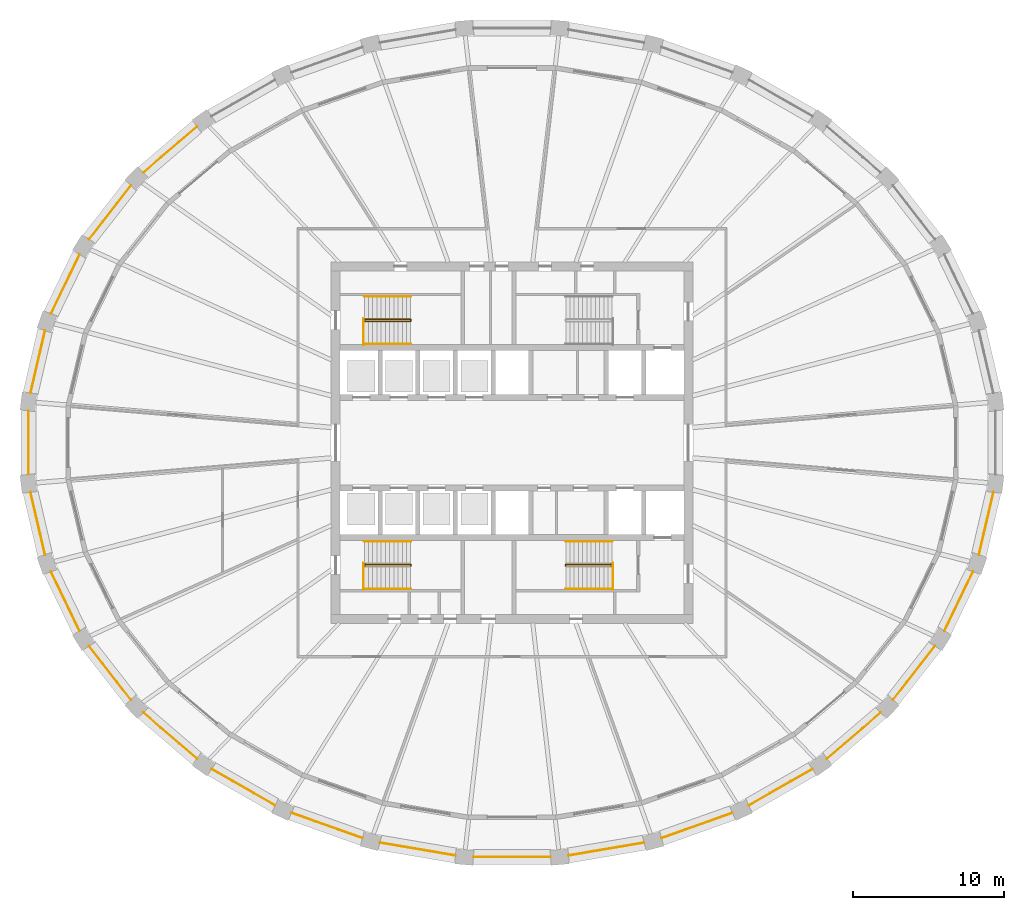
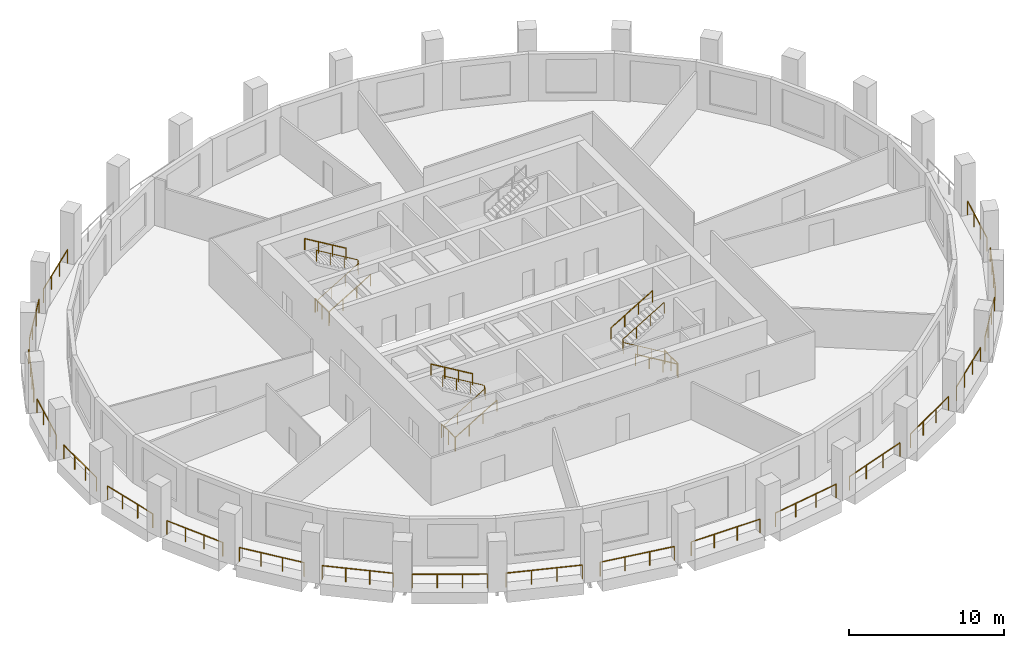
# One storey, part 8 of 10: 32 railings.
"""IFC4 building model written with IfcOpenShell, lengths in metres."""

import ifcopenshell
import ifcopenshell.guid

model = None  # the IFC model being written
_history = None  # IfcOwnerHistory: only IFC2X3 demands one
_inside = {}  # id of a spatial element -> (the spatial element, [elements in it])
_under = {}  # id of a project, library or spatial element -> (it, [spatial elements below it])
_declared = {}  # id of a project -> (the project, [libraries it declares])
_typed = {}  # id of a type object -> (the type object, [elements of that type])
_made_of = {}  # id of a material, layer set ... -> (it, [elements and type objects made of it])


def new_model(schema):
    """Start an empty IFC model of exactly this schema.

    Asked for "IFC4X3", IfcOpenShell would pick the latest addendum, in which some entities
    have other attributes; the version numbers below select the first issue.
    IFC2X3 requires an IfcOwnerHistory on every rooted entity: one is made here for all.
    """
    global model, _history
    if schema == "IFC4X3":
        model = ifcopenshell.file(schema_version=(4, 3, 0, 0))
    else:
        model = ifcopenshell.file(schema=schema)
    _inside.clear()
    _under.clear()
    _declared.clear()
    _typed.clear()
    _made_of.clear()
    _history = None
    if model.schema == "IFC2X3":
        org = make("IfcOrganization", Name="unknown")
        user = make(
            "IfcPersonAndOrganization",
            ThePerson=make("IfcPerson", FamilyName="unknown"),
            TheOrganization=org,
        )
        app = make(
            "IfcApplication",
            ApplicationDeveloper=org,
            Version="unknown",
            ApplicationFullName="unknown",
            ApplicationIdentifier="unknown",
        )
        _history = make(
            "IfcOwnerHistory",
            OwningUser=user,
            OwningApplication=app,
            ChangeAction="ADDED",
            CreationDate=0,
        )
    return model


def make(cls, **values):
    """One entity of the class cls with the attributes given. An attribute that is None is left unset."""
    return model.create_entity(
        cls, **{name: value for name, value in values.items() if value is not None}
    )


def rooted(cls, **values):
    """An entity with a GlobalId (a new one), such as an element, a storey or a relation."""
    return make(cls, GlobalId=ifcopenshell.guid.new(), OwnerHistory=_history, **values)


def si_unit(unit_type, name, prefix=None):
    """IfcSIUnit, for example si_unit("LENGTHUNIT", "METRE", prefix="MILLI")."""
    return make("IfcSIUnit", UnitType=unit_type, Prefix=prefix, Name=name)


def assignment(units):
    """IfcUnitAssignment: the units of a project."""
    return None if units is None else make("IfcUnitAssignment", Units=units)


def point(xyz):
    """IfcCartesianPoint."""
    return None if xyz is None else make("IfcCartesianPoint", Coordinates=xyz)


def direction(xyz):
    """IfcDirection."""
    return None if xyz is None else make("IfcDirection", DirectionRatios=xyz)


def frame(location, z_axis=None, x_axis=None):
    """IfcAxis2Placement3D, a coordinate frame: its origin and axes. An axis left out is left unset."""
    return make(
        "IfcAxis2Placement3D",
        Location=point(location),
        Axis=direction(z_axis),
        RefDirection=direction(x_axis),
    )


def frame_2d(location, x_axis=None):
    """IfcAxis2Placement2D, a coordinate frame in the plane: its origin and x axis."""
    return make(
        "IfcAxis2Placement2D", Location=point(location), RefDirection=direction(x_axis)
    )


def origin():
    """The frame at (0, 0, 0) with its axes left unset."""
    return frame((0.0, 0.0, 0.0))


def origin_2d():
    """The frame at (0, 0) in the plane with its x axis left unset."""
    return frame_2d((0.0, 0.0))


def place(relative_to, where):
    """IfcLocalPlacement: puts the frame where relative to a parent placement (None: the world)."""
    return make(
        "IfcLocalPlacement", PlacementRelTo=relative_to, RelativePlacement=where
    )


def context(
    kind, dimensions, precision=None, world=None, true_north=None, identifier=None
):
    """IfcGeometricRepresentationContext, for example the 3D "Model" context."""
    return make(
        "IfcGeometricRepresentationContext",
        ContextIdentifier=identifier,
        ContextType=kind,
        CoordinateSpaceDimension=dimensions,
        Precision=precision,
        WorldCoordinateSystem=world,
        TrueNorth=true_north,
    )


def subcontext(parent, identifier, kind, view, scale=None):
    """IfcGeometricRepresentationSubContext, for example "Body" below "Model"."""
    return make(
        "IfcGeometricRepresentationSubContext",
        ContextIdentifier=identifier,
        ContextType=kind,
        ParentContext=parent,
        TargetScale=scale,
        TargetView=view,
    )


def project(units=None, contexts=None):
    """IfcProject with its units and contexts."""
    return rooted(
        "IfcProject",
        Name="project",
        RepresentationContexts=contexts,
        UnitsInContext=assignment(units),
    )


def spatial(cls, under=None, at=None, **own):
    """A site, building, storey or space (cls), placed at a placement, below another one or the project."""
    s = rooted(cls, ObjectPlacement=at, **own)
    if under is not None:
        _under.setdefault(under.id(), (under, []))[1].append(s)
    return s


def profile(cls, at=None, kind="AREA", **sizes):
    """A parametric profile (cls). Its sizes go by their IFC names, for example OverallWidth=200.0."""
    return make(cls, ProfileType=kind, Position=at, **sizes)


def circle(**sizes):
    """IfcCircleProfileDef."""
    return profile("IfcCircleProfileDef", **sizes)


def extrude(swept, where, along, depth):
    """IfcExtrudedAreaSolid: the profile swept, set in the frame where, extruded along a direction by depth."""
    return make(
        "IfcExtrudedAreaSolid",
        SweptArea=swept,
        Position=where,
        ExtrudedDirection=direction(along),
        Depth=depth,
    )


def shape(context_of_items, identifier, shape_type, items):
    """IfcShapeRepresentation: the items that make up one representation, for example the "Body"."""
    return make(
        "IfcShapeRepresentation",
        ContextOfItems=context_of_items,
        RepresentationIdentifier=identifier,
        RepresentationType=shape_type,
        Items=items,
    )


def material(Name=None, Category=None):
    """IfcMaterial."""
    return make("IfcMaterial", Name=Name, Category=Category)


def made_of(thing, what):
    """Note that an element or type object is made of a material, layer set ...; save() writes the relation."""
    if what is not None:
        _made_of.setdefault(what.id(), (what, []))[1].append(thing)
    return thing


def type_object(cls, material=None, **own):
    """A type object (cls), such as IfcWallType, which elements share."""
    return made_of(rooted(cls, **own), material)


def element(
    cls,
    number,
    at=None,
    inside=None,
    cuts=None,
    type_object=None,
    material=None,
    context=None,
    identifier="Body",
    shape_type=None,
    held_by="IfcProductDefinitionShape",
    body=None,
    shapes=None,
    **own,
):
    """One element of the class cls, such as IfcWall. Its Tag is "e" and its number.

    at: its placement. inside: the storey or other place that contains it. cuts: it is an
    opening in that element (IfcRelVoidsElement). A single representation is given by context,
    identifier, shape_type and body (its items); several are given by shapes. held_by: the class
    of the entity that holds the representations. save() writes the other relations.
    """
    e = rooted(cls, Tag="e%d" % number, ObjectPlacement=at, **own)
    if body is not None:
        shapes = [shape(context, identifier, shape_type, body)]
    if shapes is not None:
        e.Representation = make(held_by, Representations=shapes)
    if inside is not None:
        _inside.setdefault(inside.id(), (inside, []))[1].append(e)
    if cuts is not None:
        rooted(
            "IfcRelVoidsElement", RelatingBuildingElement=cuts, RelatedOpeningElement=e
        )
    if type_object is not None:
        _typed.setdefault(type_object.id(), (type_object, []))[1].append(e)
    return made_of(e, material)


def aggregate(whole, parts):
    """IfcRelAggregates: a whole, such as a stair, and the parts it consists of."""
    return rooted("IfcRelAggregates", RelatingObject=whole, RelatedObjects=parts)


def save(model, path):
    """Write the relations noted so far, then the file.

    IfcRelAggregates (storeys below a building ...), IfcRelContainedInSpatialStructure (elements
    in a storey), IfcRelDefinesByType, IfcRelAssociatesMaterial and IfcRelDeclares: one each for
    every whole, place, type object, material and project.
    """
    for whole, parts in _under.values():
        aggregate(whole, parts)
    for where, things in _inside.values():
        rooted(
            "IfcRelContainedInSpatialStructure",
            RelatedElements=things,
            RelatingStructure=where,
        )
    for kind, things in _typed.values():
        rooted("IfcRelDefinesByType", RelatedObjects=things, RelatingType=kind)
    for what, things in _made_of.values():
        rooted("IfcRelAssociatesMaterial", RelatedObjects=things, RelatingMaterial=what)
    for by, libraries in _declared.values():
        rooted("IfcRelDeclares", RelatingContext=by, RelatedDefinitions=libraries)
    model.write(path)


model = new_model("IFC4")

# Units and contexts
model_context = context("Model", 3, precision=1e-05, world=origin(), true_north=direction((0.0, 1.0)))
body_context = subcontext(model_context, "Body", "Model", "MODEL_VIEW")
ifc_project = project(units=[si_unit("LENGTHUNIT", "METRE"), si_unit("AREAUNIT", "SQUARE_METRE"), si_unit("VOLUMEUNIT", "CUBIC_METRE"), si_unit("PLANEANGLEUNIT", "RADIAN"), si_unit("MASSUNIT", "GRAM", prefix="KILO")], contexts=[model_context])

# Site, building, storey
site_placement = place(None, origin())
site = spatial("IfcSite", under=ifc_project, at=site_placement, CompositionType="ELEMENT")
building_placement = place(site_placement, origin())
building = spatial("IfcBuilding", under=site, at=building_placement, Name="Halqa Exchange Tower", CompositionType="ELEMENT")
storey_placement = place(building_placement, frame((0.0, 0.0, 206.89990234375)))
storey = spatial("IfcBuildingStorey", under=building, at=storey_placement, Name="L47", CompositionType="ELEMENT", Elevation=206.89990234375)

# Railings
ifc_material = material(Name="Stainless steel", Category="steel")
railing_type_1 = type_object("IfcRailingType", Name="Guard 1100 stainless steel", PredefinedType="GUARDRAIL", material=ifc_material)
railing_1_placement = place(storey_placement, frame((-20.906494140625, 20.968994140625, 0.0)))
element("IfcRailing", 1, at=railing_1_placement, inside=storey, type_object=railing_type_1, Name="Loggia guard 12", PredefinedType="GUARDRAIL", context=body_context, shape_type="SweptSolid", body=[
    extrude(circle(Radius=0.02392578125, at=origin_2d()), frame((0.0, 0.0, 1.076171875), z_axis=(-0.759241889785, -0.65080853774, 0.0), x_axis=(0.65080853774, -0.759241889785, 0.0)), (0.0, 0.0, 1.0), 4.685546875),
    extrude(circle(Radius=0.02099609375, at=origin_2d()), origin(), (0.0, 0.0, 1.0), 1.052001953125),
    extrude(circle(Radius=0.02099609375, at=origin_2d()), frame((-1.185791015625, -1.016357421875, 0.0)), (0.0, 0.0, 1.0), 1.052001953125),
    extrude(circle(Radius=0.02099609375, at=origin_2d()), frame((-2.37158203125, -2.032958984375, 0.0)), (0.0, 0.0, 1.0), 1.052001953125),
    extrude(circle(Radius=0.02099609375, at=origin_2d()), frame((-3.557373046875, -3.04931640625, 0.0)), (0.0, 0.0, 1.0), 1.052001953125),
])
railing_2_placement = place(storey_placement, frame((-25.288330078125, 17.055908203125, 0.0)))
element("IfcRailing", 2, at=railing_2_placement, inside=storey, type_object=railing_type_1, Name="Loggia guard 13", PredefinedType="GUARDRAIL", context=body_context, shape_type="SweptSolid", body=[
    extrude(circle(Radius=0.02392578125, at=origin_2d()), frame((0.0, 0.0, 1.076171875), z_axis=(-0.614783407659, -0.788695988114, 0.0), x_axis=(0.788695988114, -0.614783407659, 0.0)), (0.0, 0.0, 1.0), 4.510498046875),
    extrude(circle(Radius=0.02099609375, at=origin_2d()), origin(), (0.0, 0.0, 1.0), 1.052001953125),
    extrude(circle(Radius=0.02099609375, at=origin_2d()), frame((-0.92431640625, -1.185791015625, 0.0)), (0.0, 0.0, 1.0), 1.052001953125),
    extrude(circle(Radius=0.02099609375, at=origin_2d()), frame((-1.8486328125, -2.37158203125, 0.0)), (0.0, 0.0, 1.0), 1.052001953125),
    extrude(circle(Radius=0.02099609375, at=origin_2d()), frame((-2.77294921875, -3.557373046875, 0.0)), (0.0, 0.0, 1.0), 1.052001953125),
])
railing_3_placement = place(storey_placement, frame((-28.69140625, 12.485107421875, 0.0)))
element("IfcRailing", 3, at=railing_3_placement, inside=storey, type_object=railing_type_1, Name="Loggia guard 14", PredefinedType="GUARDRAIL", context=body_context, shape_type="SweptSolid", body=[
    extrude(circle(Radius=0.02392578125, at=origin_2d()), frame((0.0, 0.0, 1.076171875), z_axis=(-0.435117192418, -0.900373827287, 0.0), x_axis=(0.900373827287, -0.435117192418, 0.0)), (0.0, 0.0, 1.0), 4.35791015625),
    extrude(circle(Radius=0.02099609375, at=origin_2d()), origin(), (0.0, 0.0, 1.0), 1.052001953125),
    extrude(circle(Radius=0.02099609375, at=origin_2d()), frame((-0.632080078125, -1.307861328125, 0.0)), (0.0, 0.0, 1.0), 1.052001953125),
    extrude(circle(Radius=0.02099609375, at=origin_2d()), frame((-1.26416015625, -2.615966796875, 0.0)), (0.0, 0.0, 1.0), 1.052001953125),
    extrude(circle(Radius=0.02099609375, at=origin_2d()), frame((-1.896240234375, -3.923828125, 0.0)), (0.0, 0.0, 1.0), 1.052001953125),
])
railing_4_placement = place(storey_placement, frame((-30.984375, 7.4365234375, 0.0)))
element("IfcRailing", 4, at=railing_4_placement, inside=storey, type_object=railing_type_1, Name="Loggia guard 15", PredefinedType="GUARDRAIL", context=body_context, shape_type="SweptSolid", body=[
    extrude(circle(Radius=0.02392578125, at=origin_2d()), frame((0.0, 0.0, 1.076171875), z_axis=(-0.226079136725, -0.974108938434, 0.0), x_axis=(0.974108938434, -0.226079136725, 0.0)), (0.0, 0.0, 1.0), 4.253662109375),
    extrude(circle(Radius=0.02099609375, at=origin_2d()), origin(), (0.0, 0.0, 1.0), 1.052001953125),
    extrude(circle(Radius=0.02099609375, at=origin_2d()), frame((-0.320556640625, -1.381103515625, 0.0)), (0.0, 0.0, 1.0), 1.052001953125),
    extrude(circle(Radius=0.02099609375, at=origin_2d()), frame((-0.64111328125, -2.762451171875, 0.0)), (0.0, 0.0, 1.0), 1.052001953125),
    extrude(circle(Radius=0.02099609375, at=origin_2d()), frame((-0.961669921875, -4.1435546875, 0.0)), (0.0, 0.0, 1.0), 1.052001953125),
])
railing_5_placement = place(storey_placement, frame((-32.08154296875, 2.1083984375, 0.0)))
element("IfcRailing", 5, at=railing_5_placement, inside=storey, type_object=railing_type_1, Name="Loggia guard 16", PredefinedType="GUARDRAIL", context=body_context, shape_type="SweptSolid", body=[
    extrude(circle(Radius=0.02392578125, at=origin_2d()), frame((0.0, 0.0, 1.076171875), z_axis=(0.0, -1.0, 0.0), x_axis=(1.0, 0.0, 0.0)), (0.0, 0.0, 1.0), 4.216796875),
    extrude(circle(Radius=0.02099609375, at=origin_2d()), origin(), (0.0, 0.0, 1.0), 1.052001953125),
    extrude(circle(Radius=0.02099609375, at=origin_2d()), frame((0.0, -1.405517578125, 0.0)), (0.0, 0.0, 1.0), 1.052001953125),
    extrude(circle(Radius=0.02099609375, at=origin_2d()), frame((0.0, -2.811279296875, 0.0)), (0.0, 0.0, 1.0), 1.052001953125),
    extrude(circle(Radius=0.02099609375, at=origin_2d()), frame((0.0, -4.216796875, 0.0)), (0.0, 0.0, 1.0), 1.052001953125),
])
railing_6_placement = place(storey_placement, frame((-31.946044921875, -3.29296875, 0.0)))
element("IfcRailing", 6, at=railing_6_placement, inside=storey, type_object=railing_type_1, Name="Loggia guard 17", PredefinedType="GUARDRAIL", context=body_context, shape_type="SweptSolid", body=[
    extrude(circle(Radius=0.02392578125, at=origin_2d()), frame((0.0, 0.0, 1.076171875), z_axis=(0.226079136725, -0.974108938434, 0.0), x_axis=(0.974108938434, 0.226079136725, 0.0)), (0.0, 0.0, 1.0), 4.253662109375),
    extrude(circle(Radius=0.02099609375, at=origin_2d()), origin(), (0.0, 0.0, 1.0), 1.052001953125),
    extrude(circle(Radius=0.02099609375, at=origin_2d()), frame((0.320556640625, -1.381103515625, 0.0)), (0.0, 0.0, 1.0), 1.052001953125),
    extrude(circle(Radius=0.02099609375, at=origin_2d()), frame((0.64111328125, -2.762451171875, 0.0)), (0.0, 0.0, 1.0), 1.052001953125),
    extrude(circle(Radius=0.02099609375, at=origin_2d()), frame((0.961669921875, -4.1435546875, 0.0)), (0.0, 0.0, 1.0), 1.052001953125),
])
railing_7_placement = place(storey_placement, frame((-30.587646484375, -8.561279296875, 0.0)))
element("IfcRailing", 7, at=railing_7_placement, inside=storey, type_object=railing_type_1, Name="Loggia guard 18", PredefinedType="GUARDRAIL", context=body_context, shape_type="SweptSolid", body=[
    extrude(circle(Radius=0.02392578125, at=origin_2d()), frame((0.0, 0.0, 1.076171875), z_axis=(0.435117192418, -0.900373827287, 0.0), x_axis=(0.900373827287, 0.435117192418, 0.0)), (0.0, 0.0, 1.0), 4.35791015625),
    extrude(circle(Radius=0.02099609375, at=origin_2d()), origin(), (0.0, 0.0, 1.0), 1.052001953125),
    extrude(circle(Radius=0.02099609375, at=origin_2d()), frame((0.632080078125, -1.307861328125, 0.0)), (0.0, 0.0, 1.0), 1.052001953125),
    extrude(circle(Radius=0.02099609375, at=origin_2d()), frame((1.26416015625, -2.615966796875, 0.0)), (0.0, 0.0, 1.0), 1.052001953125),
    extrude(circle(Radius=0.02099609375, at=origin_2d()), frame((1.896240234375, -3.923828125, 0.0)), (0.0, 0.0, 1.0), 1.052001953125),
])
railing_8_placement = place(storey_placement, frame((-28.061279296875, -13.49853515625, 0.0)))
element("IfcRailing", 8, at=railing_8_placement, inside=storey, type_object=railing_type_1, Name="Loggia guard 19", PredefinedType="GUARDRAIL", context=body_context, shape_type="SweptSolid", body=[
    extrude(circle(Radius=0.02392578125, at=origin_2d()), frame((0.0, 0.0, 1.076171875), z_axis=(0.614783407659, -0.788695988114, 0.0), x_axis=(0.788695988114, 0.614783407659, 0.0)), (0.0, 0.0, 1.0), 4.510498046875),
    extrude(circle(Radius=0.02099609375, at=origin_2d()), origin(), (0.0, 0.0, 1.0), 1.052001953125),
    extrude(circle(Radius=0.02099609375, at=origin_2d()), frame((0.92431640625, -1.185791015625, 0.0)), (0.0, 0.0, 1.0), 1.052001953125),
    extrude(circle(Radius=0.02099609375, at=origin_2d()), frame((1.8486328125, -2.37158203125, 0.0)), (0.0, 0.0, 1.0), 1.052001953125),
    extrude(circle(Radius=0.02099609375, at=origin_2d()), frame((2.77294921875, -3.557373046875, 0.0)), (0.0, 0.0, 1.0), 1.052001953125),
])
railing_9_placement = place(storey_placement, frame((-24.4638671875, -17.919677734375, 0.0)))
element("IfcRailing", 9, at=railing_9_placement, inside=storey, type_object=railing_type_1, Name="Loggia guard 20", PredefinedType="GUARDRAIL", context=body_context, shape_type="SweptSolid", body=[
    extrude(circle(Radius=0.02392578125, at=origin_2d()), frame((0.0, 0.0, 1.076171875), z_axis=(0.759241889785, -0.65080853774, 0.0), x_axis=(0.65080853774, 0.759241889785, 0.0)), (0.0, 0.0, 1.0), 4.685546875),
    extrude(circle(Radius=0.02099609375, at=origin_2d()), origin(), (0.0, 0.0, 1.0), 1.052001953125),
    extrude(circle(Radius=0.02099609375, at=origin_2d()), frame((1.185791015625, -1.016357421875, 0.0)), (0.0, 0.0, 1.0), 1.052001953125),
    extrude(circle(Radius=0.02099609375, at=origin_2d()), frame((2.37158203125, -2.032958984375, 0.0)), (0.0, 0.0, 1.0), 1.052001953125),
    extrude(circle(Radius=0.02099609375, at=origin_2d()), frame((3.557373046875, -3.04931640625, 0.0)), (0.0, 0.0, 1.0), 1.052001953125),
])
railing_10_placement = place(storey_placement, frame((-19.93017578125, -21.65771484375, 0.0)))
element("IfcRailing", 10, at=railing_10_placement, inside=storey, type_object=railing_type_1, Name="Loggia guard 21", PredefinedType="GUARDRAIL", context=body_context, shape_type="SweptSolid", body=[
    extrude(circle(Radius=0.02392578125, at=origin_2d()), frame((0.0, 0.0, 1.076171875), z_axis=(0.867769293608, -0.496967255533, 0.0), x_axis=(0.496967255533, 0.867769293608, 0.0)), (0.0, 0.0, 1.0), 4.855224609375),
    extrude(circle(Radius=0.02099609375, at=origin_2d()), origin(), (0.0, 0.0, 1.0), 1.052001953125),
    extrude(circle(Radius=0.02099609375, at=origin_2d()), frame((1.404296875, -0.80419921875, 0.0)), (0.0, 0.0, 1.0), 1.052001953125),
    extrude(circle(Radius=0.02099609375, at=origin_2d()), frame((2.808837890625, -1.608642578125, 0.0)), (0.0, 0.0, 1.0), 1.052001953125),
    extrude(circle(Radius=0.02099609375, at=origin_2d()), frame((4.213134765625, -2.412841796875, 0.0)), (0.0, 0.0, 1.0), 1.052001953125),
])
railing_11_placement = place(storey_placement, frame((-14.630859375, -24.569580078125, 0.0)))
element("IfcRailing", 11, at=railing_11_placement, inside=storey, type_object=railing_type_1, Name="Loggia guard 22", PredefinedType="GUARDRAIL", context=body_context, shape_type="SweptSolid", body=[
    extrude(circle(Radius=0.02392578125, at=origin_2d()), frame((0.0, 0.0, 1.076171875), z_axis=(0.942371589738, -0.334568060123, 0.0), x_axis=(0.334568060123, 0.942371589738, 0.0)), (0.0, 0.0, 1.0), 4.99560546875),
    extrude(circle(Radius=0.02099609375, at=origin_2d()), origin(), (0.0, 0.0, 1.0), 1.052001953125),
    extrude(circle(Radius=0.02099609375, at=origin_2d()), frame((1.5693359375, -0.55712890625, 0.0)), (0.0, 0.0, 1.0), 1.052001953125),
    extrude(circle(Radius=0.02099609375, at=origin_2d()), frame((3.138427734375, -1.1142578125, 0.0)), (0.0, 0.0, 1.0), 1.052001953125),
    extrude(circle(Radius=0.02099609375, at=origin_2d()), frame((4.707763671875, -1.67138671875, 0.0)), (0.0, 0.0, 1.0), 1.052001953125),
])
railing_12_placement = place(storey_placement, frame((-8.766357421875, -26.54248046875, 0.0)))
element("IfcRailing", 12, at=railing_12_placement, inside=storey, type_object=railing_type_1, Name="Loggia guard 23", PredefinedType="GUARDRAIL", context=body_context, shape_type="SweptSolid", body=[
    extrude(circle(Radius=0.02392578125, at=origin_2d()), frame((0.0, 0.0, 1.076171875), z_axis=(0.985769609588, -0.16810198337, 0.0), x_axis=(0.16810198337, 0.985769609588, 0.0)), (0.0, 0.0, 1.0), 5.087646484375),
    extrude(circle(Radius=0.02099609375, at=origin_2d()), origin(), (0.0, 0.0, 1.0), 1.052001953125),
    extrude(circle(Radius=0.02099609375, at=origin_2d()), frame((1.671630859375, -0.28515625, 0.0)), (0.0, 0.0, 1.0), 1.052001953125),
    extrude(circle(Radius=0.02099609375, at=origin_2d()), frame((3.343505859375, -0.570068359375, 0.0)), (0.0, 0.0, 1.0), 1.052001953125),
    extrude(circle(Radius=0.02099609375, at=origin_2d()), frame((5.01513671875, -0.855224609375, 0.0)), (0.0, 0.0, 1.0), 1.052001953125),
])
railing_13_placement = place(storey_placement, frame((-2.559814453125, -27.498291015625, 0.0)))
element("IfcRailing", 13, at=railing_13_placement, inside=storey, type_object=railing_type_1, Name="Loggia guard 24", PredefinedType="GUARDRAIL", context=body_context, shape_type="SweptSolid", body=[
    extrude(circle(Radius=0.02392578125, at=origin_2d()), frame((0.0, 0.0, 1.076171875), z_axis=(1.0, 0.0, 0.0), x_axis=(0.0, 1.0, 0.0)), (0.0, 0.0, 1.0), 5.11962890625),
    extrude(circle(Radius=0.02099609375, at=origin_2d()), origin(), (0.0, 0.0, 1.0), 1.052001953125),
    extrude(circle(Radius=0.02099609375, at=origin_2d()), frame((1.70654296875, 0.0, 0.0)), (0.0, 0.0, 1.0), 1.052001953125),
    extrude(circle(Radius=0.02099609375, at=origin_2d()), frame((3.4130859375, 0.0, 0.0)), (0.0, 0.0, 1.0), 1.052001953125),
    extrude(circle(Radius=0.02099609375, at=origin_2d()), frame((5.11962890625, 0.0, 0.0)), (0.0, 0.0, 1.0), 1.052001953125),
])
railing_14_placement = place(storey_placement, frame((3.751220703125, -27.397705078125, 0.0)))
element("IfcRailing", 14, at=railing_14_placement, inside=storey, type_object=railing_type_1, Name="Loggia guard 25", PredefinedType="GUARDRAIL", context=body_context, shape_type="SweptSolid", body=[
    extrude(circle(Radius=0.02392578125, at=origin_2d()), frame((0.0, 0.0, 1.076171875), z_axis=(0.985769609588, 0.16810198337, 0.0), x_axis=(-0.16810198337, 0.985769609588, 0.0)), (0.0, 0.0, 1.0), 5.087646484375),
    extrude(circle(Radius=0.02099609375, at=origin_2d()), origin(), (0.0, 0.0, 1.0), 1.052001953125),
    extrude(circle(Radius=0.02099609375, at=origin_2d()), frame((1.671630859375, 0.28515625, 0.0)), (0.0, 0.0, 1.0), 1.052001953125),
    extrude(circle(Radius=0.02099609375, at=origin_2d()), frame((3.343505859375, 0.570068359375, 0.0)), (0.0, 0.0, 1.0), 1.052001953125),
    extrude(circle(Radius=0.02099609375, at=origin_2d()), frame((5.01513671875, 0.855224609375, 0.0)), (0.0, 0.0, 1.0), 1.052001953125),
])
railing_15_placement = place(storey_placement, frame((9.923095703125, -26.240966796875, 0.0)))
element("IfcRailing", 15, at=railing_15_placement, inside=storey, type_object=railing_type_1, Name="Loggia guard 26", PredefinedType="GUARDRAIL", context=body_context, shape_type="SweptSolid", body=[
    extrude(circle(Radius=0.02392578125, at=origin_2d()), frame((0.0, 0.0, 1.076171875), z_axis=(0.942371589738, 0.334568060123, 0.0), x_axis=(-0.334568060123, 0.942371589738, 0.0)), (0.0, 0.0, 1.0), 4.99560546875),
    extrude(circle(Radius=0.02099609375, at=origin_2d()), origin(), (0.0, 0.0, 1.0), 1.052001953125),
    extrude(circle(Radius=0.02099609375, at=origin_2d()), frame((1.5693359375, 0.55712890625, 0.0)), (0.0, 0.0, 1.0), 1.052001953125),
    extrude(circle(Radius=0.02099609375, at=origin_2d()), frame((3.138427734375, 1.1142578125, 0.0)), (0.0, 0.0, 1.0), 1.052001953125),
    extrude(circle(Radius=0.02099609375, at=origin_2d()), frame((4.707763671875, 1.67138671875, 0.0)), (0.0, 0.0, 1.0), 1.052001953125),
])
railing_16_placement = place(storey_placement, frame((15.717041015625, -24.070556640625, 0.0)))
element("IfcRailing", 16, at=railing_16_placement, inside=storey, type_object=railing_type_1, Name="Loggia guard 27", PredefinedType="GUARDRAIL", context=body_context, shape_type="SweptSolid", body=[
    extrude(circle(Radius=0.02392578125, at=origin_2d()), frame((0.0, 0.0, 1.076171875), z_axis=(0.867769293608, 0.496967255533, 0.0), x_axis=(-0.496967255533, 0.867769293608, 0.0)), (0.0, 0.0, 1.0), 4.855224609375),
    extrude(circle(Radius=0.02099609375, at=origin_2d()), origin(), (0.0, 0.0, 1.0), 1.052001953125),
    extrude(circle(Radius=0.02099609375, at=origin_2d()), frame((1.404296875, 0.80419921875, 0.0)), (0.0, 0.0, 1.0), 1.052001953125),
    extrude(circle(Radius=0.02099609375, at=origin_2d()), frame((2.808837890625, 1.608642578125, 0.0)), (0.0, 0.0, 1.0), 1.052001953125),
    extrude(circle(Radius=0.02099609375, at=origin_2d()), frame((4.213134765625, 2.412841796875, 0.0)), (0.0, 0.0, 1.0), 1.052001953125),
])
railing_17_placement = place(storey_placement, frame((20.906494140625, -20.968994140625, 0.0)))
element("IfcRailing", 17, at=railing_17_placement, inside=storey, type_object=railing_type_1, Name="Loggia guard 28", PredefinedType="GUARDRAIL", context=body_context, shape_type="SweptSolid", body=[
    extrude(circle(Radius=0.02392578125, at=origin_2d()), frame((0.0, 0.0, 1.076171875), z_axis=(0.759241889785, 0.65080853774, 0.0), x_axis=(-0.65080853774, 0.759241889785, 0.0)), (0.0, 0.0, 1.0), 4.685546875),
    extrude(circle(Radius=0.02099609375, at=origin_2d()), origin(), (0.0, 0.0, 1.0), 1.052001953125),
    extrude(circle(Radius=0.02099609375, at=origin_2d()), frame((1.185791015625, 1.016357421875, 0.0)), (0.0, 0.0, 1.0), 1.052001953125),
    extrude(circle(Radius=0.02099609375, at=origin_2d()), frame((2.37158203125, 2.032958984375, 0.0)), (0.0, 0.0, 1.0), 1.052001953125),
    extrude(circle(Radius=0.02099609375, at=origin_2d()), frame((3.557373046875, 3.04931640625, 0.0)), (0.0, 0.0, 1.0), 1.052001953125),
])
railing_18_placement = place(storey_placement, frame((25.288330078125, -17.055908203125, 0.0)))
element("IfcRailing", 18, at=railing_18_placement, inside=storey, type_object=railing_type_1, Name="Loggia guard 29", PredefinedType="GUARDRAIL", context=body_context, shape_type="SweptSolid", body=[
    extrude(circle(Radius=0.02392578125, at=origin_2d()), frame((0.0, 0.0, 1.076171875), z_axis=(0.614783407659, 0.788695988114, 0.0), x_axis=(-0.788695988114, 0.614783407659, 0.0)), (0.0, 0.0, 1.0), 4.510498046875),
    extrude(circle(Radius=0.02099609375, at=origin_2d()), origin(), (0.0, 0.0, 1.0), 1.052001953125),
    extrude(circle(Radius=0.02099609375, at=origin_2d()), frame((0.92431640625, 1.185791015625, 0.0)), (0.0, 0.0, 1.0), 1.052001953125),
    extrude(circle(Radius=0.02099609375, at=origin_2d()), frame((1.8486328125, 2.37158203125, 0.0)), (0.0, 0.0, 1.0), 1.052001953125),
    extrude(circle(Radius=0.02099609375, at=origin_2d()), frame((2.77294921875, 3.557373046875, 0.0)), (0.0, 0.0, 1.0), 1.052001953125),
])
railing_19_placement = place(storey_placement, frame((28.69140625, -12.485107421875, 0.0)))
element("IfcRailing", 19, at=railing_19_placement, inside=storey, type_object=railing_type_1, Name="Loggia guard 30", PredefinedType="GUARDRAIL", context=body_context, shape_type="SweptSolid", body=[
    extrude(circle(Radius=0.02392578125, at=origin_2d()), frame((0.0, 0.0, 1.076171875), z_axis=(0.435117192418, 0.900373827287, 0.0), x_axis=(-0.900373827287, 0.435117192418, 0.0)), (0.0, 0.0, 1.0), 4.35791015625),
    extrude(circle(Radius=0.02099609375, at=origin_2d()), origin(), (0.0, 0.0, 1.0), 1.052001953125),
    extrude(circle(Radius=0.02099609375, at=origin_2d()), frame((0.632080078125, 1.307861328125, 0.0)), (0.0, 0.0, 1.0), 1.052001953125),
    extrude(circle(Radius=0.02099609375, at=origin_2d()), frame((1.26416015625, 2.615966796875, 0.0)), (0.0, 0.0, 1.0), 1.052001953125),
    extrude(circle(Radius=0.02099609375, at=origin_2d()), frame((1.896240234375, 3.923828125, 0.0)), (0.0, 0.0, 1.0), 1.052001953125),
])
railing_20_placement = place(storey_placement, frame((30.984375, -7.4365234375, 0.0)))
element("IfcRailing", 20, at=railing_20_placement, inside=storey, type_object=railing_type_1, Name="Loggia guard 31", PredefinedType="GUARDRAIL", context=body_context, shape_type="SweptSolid", body=[
    extrude(circle(Radius=0.02392578125, at=origin_2d()), frame((0.0, 0.0, 1.076171875), z_axis=(0.226079136725, 0.974108938434, 0.0), x_axis=(-0.974108938434, 0.226079136725, 0.0)), (0.0, 0.0, 1.0), 4.253662109375),
    extrude(circle(Radius=0.02099609375, at=origin_2d()), origin(), (0.0, 0.0, 1.0), 1.052001953125),
    extrude(circle(Radius=0.02099609375, at=origin_2d()), frame((0.320556640625, 1.381103515625, 0.0)), (0.0, 0.0, 1.0), 1.052001953125),
    extrude(circle(Radius=0.02099609375, at=origin_2d()), frame((0.64111328125, 2.762451171875, 0.0)), (0.0, 0.0, 1.0), 1.052001953125),
    extrude(circle(Radius=0.02099609375, at=origin_2d()), frame((0.961669921875, 4.1435546875, 0.0)), (0.0, 0.0, 1.0), 1.052001953125),
])
railing_type_2 = type_object("IfcRailingType", Name="Stair handrail 900", PredefinedType="HANDRAIL", material=ifc_material)
railing_21_placement = place(storey_placement, frame((-9.800048828125, 8.06005859375, 0.166748046875)))
element("IfcRailing", 21, at=railing_21_placement, inside=storey, type_object=railing_type_2, Name="Handrail ST1.1", PredefinedType="HANDRAIL", context=body_context, shape_type="SweptSolid", body=[
    extrude(circle(Radius=0.02392578125, at=origin_2d()), frame((0.0, 0.0, 0.8759765625), z_axis=(0.859308565015, 0.0, 0.511457515432), x_axis=(0.0, 1.0, 0.0)), (0.0, 0.0, 1.0), 3.58447265625),
    extrude(circle(Radius=0.02392578125, at=origin_2d()), frame((3.080078125, 0.0, 2.708984375), z_axis=(0.0, 0.614500226555, 0.788916644243), x_axis=(-1.0, 0.0, 0.0)), (0.0, 0.0, 1.0), 0.21142578125),
    extrude(circle(Radius=0.02392578125, at=origin_2d()), frame((3.080078125, 0.1298828125, 2.8759765625), z_axis=(-0.859308565015, 0.0, 0.511457515432), x_axis=(0.0, -1.0, 0.0)), (0.0, 0.0, 1.0), 3.58447265625),
    extrude(circle(Radius=0.02099609375, at=origin_2d()), origin(), (0.0, 0.0, 1.0), 0.851806640625),
    extrude(circle(Radius=0.02099609375, at=origin_2d()), frame((1.026611328125, 0.0, 0.611083984375)), (0.0, 0.0, 1.0), 0.851806640625),
    extrude(circle(Radius=0.02099609375, at=origin_2d()), frame((2.053466796875, 0.0, 1.22216796875)), (0.0, 0.0, 1.0), 0.851806640625),
    extrude(circle(Radius=0.02099609375, at=origin_2d()), frame((3.080078125, 0.0, 1.833251953125)), (0.0, 0.0, 1.0), 0.851806640625),
    extrude(circle(Radius=0.02099609375, at=origin_2d()), frame((3.080078125, 0.1298828125, 2.0)), (0.0, 0.0, 1.0), 0.851806640625),
    extrude(circle(Radius=0.02099609375, at=origin_2d()), frame((2.053466796875, 0.1298828125, 2.611083984375)), (0.0, 0.0, 1.0), 0.851806640625),
    extrude(circle(Radius=0.02099609375, at=origin_2d()), frame((1.026611328125, 0.1298828125, 3.22216796875)), (0.0, 0.0, 1.0), 0.851806640625),
    extrude(circle(Radius=0.02099609375, at=origin_2d()), frame((0.0, 0.1298828125, 3.833251953125)), (0.0, 0.0, 1.0), 0.851806640625),
])
railing_22_placement = place(storey_placement, frame((-9.800048828125, 6.550048828125, 0.166748046875)))
element("IfcRailing", 22, at=railing_22_placement, inside=storey, type_object=railing_type_2, Name="Handrail ST1.2", PredefinedType="HANDRAIL", context=body_context, shape_type="SweptSolid", body=[
    extrude(circle(Radius=0.02392578125, at=origin_2d()), frame((0.0, 0.0, 0.8759765625), z_axis=(0.859308565015, 0.0, 0.511457515432), x_axis=(0.0, 1.0, 0.0)), (0.0, 0.0, 1.0), 3.58447265625),
    extrude(circle(Radius=0.02099609375, at=origin_2d()), origin(), (0.0, 0.0, 1.0), 0.851806640625),
    extrude(circle(Radius=0.02099609375, at=origin_2d()), frame((1.026611328125, 0.0, 0.611083984375)), (0.0, 0.0, 1.0), 0.851806640625),
    extrude(circle(Radius=0.02099609375, at=origin_2d()), frame((2.053466796875, 0.0, 1.22216796875)), (0.0, 0.0, 1.0), 0.851806640625),
    extrude(circle(Radius=0.02099609375, at=origin_2d()), frame((3.080078125, 0.0, 1.833251953125)), (0.0, 0.0, 1.0), 0.851806640625),
])
railing_23_placement = place(storey_placement, frame((-6.719970703125, 9.699951171875, 2.166748046875)))
element("IfcRailing", 23, at=railing_23_placement, inside=storey, type_object=railing_type_2, Name="Handrail ST1.3", PredefinedType="HANDRAIL", context=body_context, shape_type="SweptSolid", body=[
    extrude(circle(Radius=0.02392578125, at=origin_2d()), frame((0.0, 0.0, 0.8759765625), z_axis=(-0.859308565015, 0.0, 0.511457515432), x_axis=(0.0, -1.0, 0.0)), (0.0, 0.0, 1.0), 3.58447265625),
    extrude(circle(Radius=0.02099609375, at=origin_2d()), origin(), (0.0, 0.0, 1.0), 0.851806640625),
    extrude(circle(Radius=0.02099609375, at=origin_2d()), frame((-1.026611328125, 0.0, 0.611083984375)), (0.0, 0.0, 1.0), 0.851806640625),
    extrude(circle(Radius=0.02099609375, at=origin_2d()), frame((-2.053466796875, 0.0, 1.22216796875)), (0.0, 0.0, 1.0), 0.851806640625),
    extrude(circle(Radius=0.02099609375, at=origin_2d()), frame((-3.080078125, 0.0, 1.833251953125)), (0.0, 0.0, 1.0), 0.851806640625),
])
railing_24_placement = place(storey_placement, frame((-9.800048828125, -8.18994140625, 0.166748046875)))
element("IfcRailing", 24, at=railing_24_placement, inside=storey, type_object=railing_type_2, Name="Handrail ST3.1", PredefinedType="HANDRAIL", context=body_context, shape_type="SweptSolid", body=[
    extrude(circle(Radius=0.02392578125, at=origin_2d()), frame((0.0, 0.0, 0.8759765625), z_axis=(0.859308565015, 0.0, 0.511457515432), x_axis=(0.0, 1.0, 0.0)), (0.0, 0.0, 1.0), 3.58447265625),
    extrude(circle(Radius=0.02392578125, at=origin_2d()), frame((3.080078125, 0.0, 2.708984375), z_axis=(0.0, 0.614500226555, 0.788916644243), x_axis=(-1.0, 0.0, 0.0)), (0.0, 0.0, 1.0), 0.21142578125),
    extrude(circle(Radius=0.02392578125, at=origin_2d()), frame((3.080078125, 0.1298828125, 2.8759765625), z_axis=(-0.859308565015, 0.0, 0.511457515432), x_axis=(0.0, -1.0, 0.0)), (0.0, 0.0, 1.0), 3.58447265625),
    extrude(circle(Radius=0.02099609375, at=origin_2d()), origin(), (0.0, 0.0, 1.0), 0.851806640625),
    extrude(circle(Radius=0.02099609375, at=origin_2d()), frame((1.026611328125, 0.0, 0.611083984375)), (0.0, 0.0, 1.0), 0.851806640625),
    extrude(circle(Radius=0.02099609375, at=origin_2d()), frame((2.053466796875, 0.0, 1.22216796875)), (0.0, 0.0, 1.0), 0.851806640625),
    extrude(circle(Radius=0.02099609375, at=origin_2d()), frame((3.080078125, 0.0, 1.833251953125)), (0.0, 0.0, 1.0), 0.851806640625),
    extrude(circle(Radius=0.02099609375, at=origin_2d()), frame((3.080078125, 0.1298828125, 2.0)), (0.0, 0.0, 1.0), 0.851806640625),
    extrude(circle(Radius=0.02099609375, at=origin_2d()), frame((2.053466796875, 0.1298828125, 2.611083984375)), (0.0, 0.0, 1.0), 0.851806640625),
    extrude(circle(Radius=0.02099609375, at=origin_2d()), frame((1.026611328125, 0.1298828125, 3.22216796875)), (0.0, 0.0, 1.0), 0.851806640625),
    extrude(circle(Radius=0.02099609375, at=origin_2d()), frame((0.0, 0.1298828125, 3.833251953125)), (0.0, 0.0, 1.0), 0.851806640625),
])
railing_25_placement = place(storey_placement, frame((-9.800048828125, -9.699951171875, 0.166748046875)))
element("IfcRailing", 25, at=railing_25_placement, inside=storey, type_object=railing_type_2, Name="Handrail ST3.2", PredefinedType="HANDRAIL", context=body_context, shape_type="SweptSolid", body=[
    extrude(circle(Radius=0.02392578125, at=origin_2d()), frame((0.0, 0.0, 0.8759765625), z_axis=(0.859308565015, 0.0, 0.511457515432), x_axis=(0.0, 1.0, 0.0)), (0.0, 0.0, 1.0), 3.58447265625),
    extrude(circle(Radius=0.02099609375, at=origin_2d()), origin(), (0.0, 0.0, 1.0), 0.851806640625),
    extrude(circle(Radius=0.02099609375, at=origin_2d()), frame((1.026611328125, 0.0, 0.611083984375)), (0.0, 0.0, 1.0), 0.851806640625),
    extrude(circle(Radius=0.02099609375, at=origin_2d()), frame((2.053466796875, 0.0, 1.22216796875)), (0.0, 0.0, 1.0), 0.851806640625),
    extrude(circle(Radius=0.02099609375, at=origin_2d()), frame((3.080078125, 0.0, 1.833251953125)), (0.0, 0.0, 1.0), 0.851806640625),
])
railing_26_placement = place(storey_placement, frame((-6.719970703125, -6.550048828125, 2.166748046875)))
element("IfcRailing", 26, at=railing_26_placement, inside=storey, type_object=railing_type_2, Name="Handrail ST3.3", PredefinedType="HANDRAIL", context=body_context, shape_type="SweptSolid", body=[
    extrude(circle(Radius=0.02392578125, at=origin_2d()), frame((0.0, 0.0, 0.8759765625), z_axis=(-0.859308565015, 0.0, 0.511457515432), x_axis=(0.0, -1.0, 0.0)), (0.0, 0.0, 1.0), 3.58447265625),
    extrude(circle(Radius=0.02099609375, at=origin_2d()), origin(), (0.0, 0.0, 1.0), 0.851806640625),
    extrude(circle(Radius=0.02099609375, at=origin_2d()), frame((-1.026611328125, 0.0, 0.611083984375)), (0.0, 0.0, 1.0), 0.851806640625),
    extrude(circle(Radius=0.02099609375, at=origin_2d()), frame((-2.053466796875, 0.0, 1.22216796875)), (0.0, 0.0, 1.0), 0.851806640625),
    extrude(circle(Radius=0.02099609375, at=origin_2d()), frame((-3.080078125, 0.0, 1.833251953125)), (0.0, 0.0, 1.0), 0.851806640625),
])
railing_27_placement = place(storey_placement, frame((6.64990234375, -8.18994140625, 0.166748046875)))
element("IfcRailing", 27, at=railing_27_placement, inside=storey, type_object=railing_type_2, Name="Handrail ST4.1", PredefinedType="HANDRAIL", context=body_context, shape_type="SweptSolid", body=[
    extrude(circle(Radius=0.02392578125, at=origin_2d()), frame((0.0, 0.0, 0.8759765625), z_axis=(-0.859290745958, 0.0, 0.51148745235), x_axis=(0.0, -1.0, 0.0)), (0.0, 0.0, 1.0), 3.584228515625),
    extrude(circle(Radius=0.02392578125, at=origin_2d()), frame((-3.079833984375, 0.0, 2.708984375), z_axis=(0.0, 0.614500226555, 0.788916644243), x_axis=(-1.0, 0.0, 0.0)), (0.0, 0.0, 1.0), 0.21142578125),
    extrude(circle(Radius=0.02392578125, at=origin_2d()), frame((-3.079833984375, 0.1298828125, 2.8759765625), z_axis=(0.859290745958, 0.0, 0.51148745235), x_axis=(0.0, 1.0, 0.0)), (0.0, 0.0, 1.0), 3.584228515625),
    extrude(circle(Radius=0.02099609375, at=origin_2d()), origin(), (0.0, 0.0, 1.0), 0.851806640625),
    extrude(circle(Radius=0.02099609375, at=origin_2d()), frame((-1.026611328125, 0.0, 0.611083984375)), (0.0, 0.0, 1.0), 0.851806640625),
    extrude(circle(Radius=0.02099609375, at=origin_2d()), frame((-2.05322265625, 0.0, 1.22216796875)), (0.0, 0.0, 1.0), 0.851806640625),
    extrude(circle(Radius=0.02099609375, at=origin_2d()), frame((-3.079833984375, 0.0, 1.833251953125)), (0.0, 0.0, 1.0), 0.851806640625),
    extrude(circle(Radius=0.02099609375, at=origin_2d()), frame((-3.079833984375, 0.1298828125, 2.0)), (0.0, 0.0, 1.0), 0.851806640625),
    extrude(circle(Radius=0.02099609375, at=origin_2d()), frame((-2.05322265625, 0.1298828125, 2.611083984375)), (0.0, 0.0, 1.0), 0.851806640625),
    extrude(circle(Radius=0.02099609375, at=origin_2d()), frame((-1.026611328125, 0.1298828125, 3.22216796875)), (0.0, 0.0, 1.0), 0.851806640625),
    extrude(circle(Radius=0.02099609375, at=origin_2d()), frame((0.0, 0.1298828125, 3.833251953125)), (0.0, 0.0, 1.0), 0.851806640625),
])
railing_28_placement = place(storey_placement, frame((6.64990234375, -9.699951171875, 0.166748046875)))
element("IfcRailing", 28, at=railing_28_placement, inside=storey, type_object=railing_type_2, Name="Handrail ST4.2", PredefinedType="HANDRAIL", context=body_context, shape_type="SweptSolid", body=[
    extrude(circle(Radius=0.02392578125, at=origin_2d()), frame((0.0, 0.0, 0.8759765625), z_axis=(-0.859290745958, 0.0, 0.51148745235), x_axis=(0.0, -1.0, 0.0)), (0.0, 0.0, 1.0), 3.584228515625),
    extrude(circle(Radius=0.02099609375, at=origin_2d()), origin(), (0.0, 0.0, 1.0), 0.851806640625),
    extrude(circle(Radius=0.02099609375, at=origin_2d()), frame((-1.026611328125, 0.0, 0.611083984375)), (0.0, 0.0, 1.0), 0.851806640625),
    extrude(circle(Radius=0.02099609375, at=origin_2d()), frame((-2.05322265625, 0.0, 1.22216796875)), (0.0, 0.0, 1.0), 0.851806640625),
    extrude(circle(Radius=0.02099609375, at=origin_2d()), frame((-3.079833984375, 0.0, 1.833251953125)), (0.0, 0.0, 1.0), 0.851806640625),
])
railing_29_placement = place(storey_placement, frame((3.570068359375, -6.550048828125, 2.166748046875)))
element("IfcRailing", 29, at=railing_29_placement, inside=storey, type_object=railing_type_2, Name="Handrail ST4.3", PredefinedType="HANDRAIL", context=body_context, shape_type="SweptSolid", body=[
    extrude(circle(Radius=0.02392578125, at=origin_2d()), frame((0.0, 0.0, 0.8759765625), z_axis=(0.859290745958, 0.0, 0.51148745235), x_axis=(0.0, 1.0, 0.0)), (0.0, 0.0, 1.0), 3.584228515625),
    extrude(circle(Radius=0.02099609375, at=origin_2d()), origin(), (0.0, 0.0, 1.0), 0.851806640625),
    extrude(circle(Radius=0.02099609375, at=origin_2d()), frame((1.026611328125, 0.0, 0.611083984375)), (0.0, 0.0, 1.0), 0.851806640625),
    extrude(circle(Radius=0.02099609375, at=origin_2d()), frame((2.05322265625, 0.0, 1.22216796875)), (0.0, 0.0, 1.0), 0.851806640625),
    extrude(circle(Radius=0.02099609375, at=origin_2d()), frame((3.079833984375, 0.0, 1.833251953125)), (0.0, 0.0, 1.0), 0.851806640625),
])
railing_type_3 = type_object("IfcRailingType", Name="Stair well guard 1100", PredefinedType="GUARDRAIL", material=ifc_material)
for number, where, name in (
    (30, (-9.85009765625, 6.5, 0.0), "Guard ST1 well"),
    (31, (-9.85009765625, -9.75, 0.0), "Guard ST3 well"),
    (32, (6.699951171875, -9.75, 0.0), "Guard ST4 well"),
):
    element("IfcRailing", number, at=place(storey_placement, frame(where)), inside=storey, type_object=railing_type_3, Name=name, PredefinedType="GUARDRAIL", context=body_context, shape_type="SweptSolid", body=[
        extrude(circle(Radius=0.02392578125, at=origin_2d()), frame((0.0, 0.0, 1.076171875), z_axis=(0.0, 1.0, 0.0), x_axis=(-1.0, 0.0, 0.0)), (0.0, 0.0, 1.0), 1.75),
        extrude(circle(Radius=0.02099609375, at=origin_2d()), origin(), (0.0, 0.0, 1.0), 1.052001953125),
        extrude(circle(Radius=0.02099609375, at=origin_2d()), frame((0.0, 0.875, 0.0)), (0.0, 0.0, 1.0), 1.052001953125),
        extrude(circle(Radius=0.02099609375, at=origin_2d()), frame((0.0, 1.75, 0.0)), (0.0, 0.0, 1.0), 1.052001953125),
    ])

save(model, "model.ifc")
